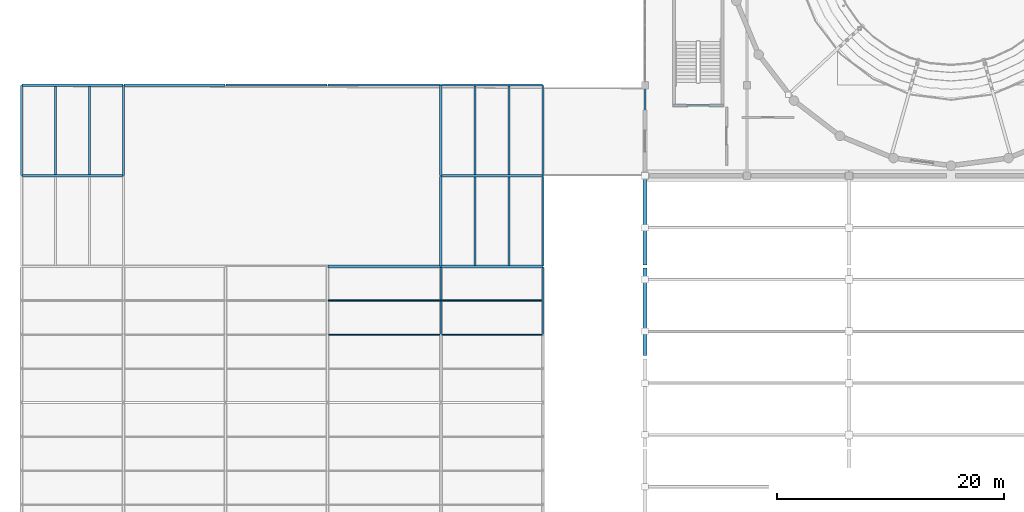
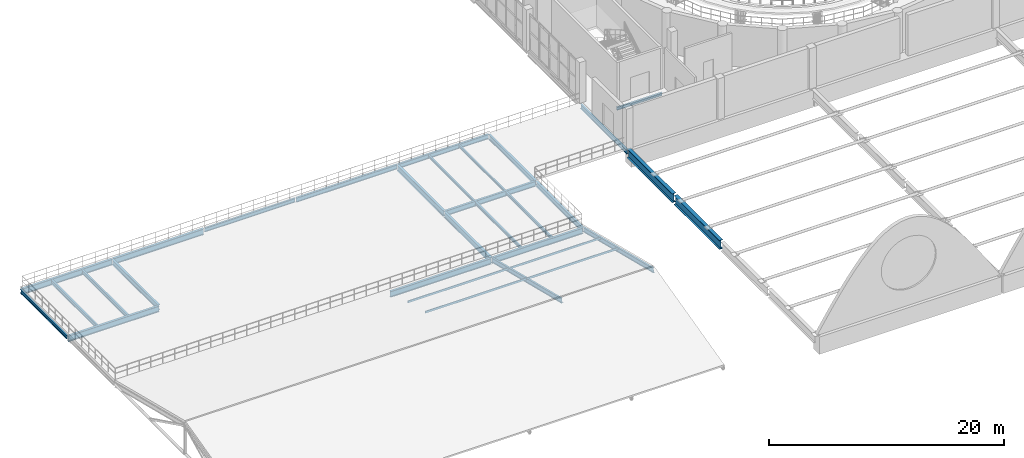
# One storey, part 10 of 54: 27 beams, 4 members.
"""IFC4 building model written with IfcOpenShell, lengths in metres."""

from ifc_helpers import new_model, si_unit, direction, frame, origin, origin_2d, place, context, subcontext, project, spatial, hollow_rectangle, i_section, extrude, material, material_profile, profile_set, type_object, element, save


model = new_model("IFC4")

# Units and contexts
model_context = context("Model", 3, precision=1e-05, world=origin(), true_north=direction((0.0, 1.0)))
body_context = subcontext(model_context, "Body", "Model", "MODEL_VIEW")
ifc_project = project(units=[si_unit("LENGTHUNIT", "METRE"), si_unit("AREAUNIT", "SQUARE_METRE"), si_unit("VOLUMEUNIT", "CUBIC_METRE"), si_unit("PLANEANGLEUNIT", "RADIAN"), si_unit("MASSUNIT", "GRAM", prefix="KILO")], contexts=[model_context])

# Site, building, storey
site_placement = place(None, origin())
site = spatial("IfcSite", under=ifc_project, at=site_placement, CompositionType="ELEMENT")
building_placement = place(site_placement, origin())
building = spatial("IfcBuilding", under=site, at=building_placement, Name="Marnock Terrace Opera House", CompositionType="ELEMENT")
storey_placement = place(building_placement, frame((0.0, 0.0, 19.199951171875)))
storey = spatial("IfcBuildingStorey", under=building, at=storey_placement, Name="L04", CompositionType="ELEMENT", Elevation=19.199951171875)

# Beams
ifc_material_1 = material(Name="Steel Grade 350 (AS/NZS 3679.1)", Category="steel")
ifc_material_profile_1 = material_profile(ifc_material_1, i_section(OverallWidth=0.177978515625, OverallDepth=0.402587890625, WebThickness=0.007568359375, FlangeThickness=0.010986328125, FilletRadius=0.011474609375, at=origin_2d()))
ifc_profile_set_1 = profile_set([ifc_material_profile_1], Name="Steel Grade 350 (AS/NZS 3679.1)")
beam_type_1 = type_object("IfcBeamType", Name="BM-GIRD-410", PredefinedType="BEAM", material=ifc_profile_set_1)
beam_1_placement = place(storey_placement, frame((18.050048828125, 48.0, -0.47119140625), z_axis=(1.0, 0.0, 0.0), x_axis=(0.0, 1.0, 0.0)))
element("IfcBeam", 1, at=beam_1_placement, inside=storey, type_object=beam_type_1, Name="L04 girder (18.0..27.0, Y=48.0)", PredefinedType="BEAM", context=body_context, shape_type="SweptSolid", body=[
    extrude(i_section(OverallWidth=0.177978515625, OverallDepth=0.402587890625, WebThickness=0.007568359375, FlangeThickness=0.010986328125, FilletRadius=0.011474609375, at=origin_2d()), origin(), (0.0, 0.0, 1.0), 8.89990234375),
])
ifc_material_profile_2 = material_profile(ifc_material_1, i_section(OverallWidth=0.19091796875, OverallDepth=0.46044921875, WebThickness=0.010009765625, FlangeThickness=0.01611328125, FilletRadius=0.011474609375, at=origin_2d()))
ifc_profile_set_2 = profile_set([ifc_material_profile_2], Name="Steel Grade 350 (AS/NZS 3679.1)")
beam_type_2 = type_object("IfcBeamType", Name="BM-GIRD-460A", PredefinedType="BEAM", material=ifc_profile_set_2)
beam_2_placement = place(storey_placement, frame((27.050048828125, 48.0, -0.500244140625), z_axis=(1.0, 0.0, 0.0), x_axis=(0.0, 1.0, 0.0)))
element("IfcBeam", 2, at=beam_2_placement, inside=storey, type_object=beam_type_2, Name="L04 girder (27.0..37.0, Y=48.0)", PredefinedType="BEAM", context=body_context, shape_type="SweptSolid", body=[
    extrude(i_section(OverallWidth=0.19091796875, OverallDepth=0.46044921875, WebThickness=0.010009765625, FlangeThickness=0.01611328125, FilletRadius=0.011474609375, at=origin_2d()), origin(), (0.0, 0.0, 1.0), 9.89990234375),
])
beam_3_placement = place(storey_placement, frame((37.050048828125, 48.0, -0.500244140625), z_axis=(1.0, 0.0, 0.0), x_axis=(0.0, 1.0, 0.0)))
element("IfcBeam", 3, at=beam_3_placement, inside=storey, type_object=beam_type_2, Name="L04 girder (37.0..46.0, Y=48.0)", PredefinedType="BEAM", context=body_context, shape_type="SweptSolid", body=[
    extrude(i_section(OverallWidth=0.19091796875, OverallDepth=0.46044921875, WebThickness=0.010009765625, FlangeThickness=0.01611328125, FilletRadius=0.011474609375, at=origin_2d()), origin(), (0.0, 0.0, 1.0), 8.89990234375),
])
for number, where, z_axis, x_axis, name in (
    (4, (37.0, 31.919921875, -0.435546875), (0.0, -0.970520166592, 0.241019929132), (1.0, 0.0, 0.0), "Rehearsal Wing north pitched rafter"),
    (5, (46.0, 31.919921875, -0.435546875), (0.0, -0.970520166592, 0.241019929132), (1.0, 0.0, 0.0), "Rehearsal Wing north pitched rafter"),
):
    element("IfcBeam", number, at=place(storey_placement, frame(where, z_axis=z_axis, x_axis=x_axis)), inside=storey, type_object=beam_type_2, Name=name, PredefinedType="BEAM", context=body_context, shape_type="SweptSolid", body=[
        extrude(i_section(OverallWidth=0.19091796875, OverallDepth=0.46044921875, WebThickness=0.010009765625, FlangeThickness=0.01611328125, FilletRadius=0.011474609375, at=origin_2d()), origin(), (0.0, 0.0, 1.0), 12.281982421875),
    ])
ifc_material_profile_3 = material_profile(ifc_material_1, i_section(OverallWidth=0.18994140625, OverallDepth=0.45751953125, WebThickness=0.009033203125, FlangeThickness=0.014404296875, FilletRadius=0.011474609375, at=origin_2d()))
ifc_profile_set_3 = profile_set([ifc_material_profile_3], Name="Steel Grade 350 (AS/NZS 3679.1)")
beam_type_3 = type_object("IfcBeamType", Name="BM-GIRD-460B", PredefinedType="BEAM", material=ifc_profile_set_3)
beam_4_placement = place(storey_placement, frame((55.0, 40.050048828125, -0.49853515625), z_axis=(0.0, 1.0, 0.0), x_axis=(-1.0, 0.0, 0.0)))
element("IfcBeam", 6, at=beam_4_placement, inside=storey, type_object=beam_type_3, Name="L04 girder (X=55.0, 40.0..48.0)", PredefinedType="BEAM", context=body_context, shape_type="SweptSolid", body=[
    extrude(i_section(OverallWidth=0.18994140625, OverallDepth=0.45751953125, WebThickness=0.009033203125, FlangeThickness=0.014404296875, FilletRadius=0.011474609375, at=origin_2d()), origin(), (0.0, 0.0, 1.0), 7.89990234375),
])
ifc_material_profile_4 = material_profile(ifc_material_1, i_section(OverallWidth=0.208984375, OverallDepth=0.532958984375, WebThickness=0.01025390625, FlangeThickness=0.015625, FilletRadius=0.013916015625, at=origin_2d()))
ifc_profile_set_4 = profile_set([ifc_material_profile_4], Name="Steel Grade 350 (AS/NZS 3679.1)")
beam_type_4 = type_object("IfcBeamType", Name="BM-GIRD-530A", PredefinedType="BEAM", material=ifc_profile_set_4)
beam_5_placement = place(storey_placement, frame((37.050048828125, 40.0, -0.536376953125), z_axis=(1.0, 0.0, 0.0), x_axis=(0.0, 1.0, 0.0)))
element("IfcBeam", 7, at=beam_5_placement, inside=storey, type_object=beam_type_4, Name="L04 girder (37.0..46.0, Y=40.0)", PredefinedType="BEAM", context=body_context, shape_type="SweptSolid", body=[
    extrude(i_section(OverallWidth=0.208984375, OverallDepth=0.532958984375, WebThickness=0.01025390625, FlangeThickness=0.015625, FilletRadius=0.013916015625, at=origin_2d()), origin(), (0.0, 0.0, 1.0), 8.89990234375),
])
ifc_material_profile_5 = material_profile(ifc_material_1, i_section(OverallWidth=0.208984375, OverallDepth=0.528076171875, WebThickness=0.009521484375, FlangeThickness=0.01318359375, FilletRadius=0.013916015625, at=origin_2d()))
ifc_profile_set_5 = profile_set([ifc_material_profile_5], Name="Steel Grade 350 (AS/NZS 3679.1)")
beam_type_5 = type_object("IfcBeamType", Name="BM-GIRD-530B", PredefinedType="BEAM", material=ifc_profile_set_5)
for number, where, z_axis, x_axis, name in (
    (8, (9.0, 40.050048828125, -0.533935546875), (0.0, 1.0, 0.0), (-1.0, 0.0, 0.0), "L04 girder (X=9.0, 40.0..48.0)"),
    (9, (46.0, 32.050048828125, -0.533935546875), (0.0, 1.0, 0.0), (-1.0, 0.0, 0.0), "L04 girder (X=46.0, 32.0..40.0)"),
    (10, (46.0, 40.050048828125, -0.533935546875), (0.0, 1.0, 0.0), (-1.0, 0.0, 0.0), "L04 girder (X=46.0, 40.0..48.0)"),
):
    element("IfcBeam", number, at=place(storey_placement, frame(where, z_axis=z_axis, x_axis=x_axis)), inside=storey, type_object=beam_type_5, Name=name, PredefinedType="BEAM", context=body_context, shape_type="SweptSolid", body=[
        extrude(i_section(OverallWidth=0.208984375, OverallDepth=0.528076171875, WebThickness=0.009521484375, FlangeThickness=0.01318359375, FilletRadius=0.013916015625, at=origin_2d()), origin(), (0.0, 0.0, 1.0), 7.89990234375),
    ])
ifc_material_profile_6 = material_profile(ifc_material_1, i_section(OverallWidth=0.22900390625, OverallDepth=0.611572265625, WebThickness=0.011962890625, FlangeThickness=0.01953125, FilletRadius=0.013916015625, at=origin_2d()))
ifc_profile_set_6 = profile_set([ifc_material_profile_6], Name="Steel Grade 350 (AS/NZS 3679.1)")
beam_type_6 = type_object("IfcBeamType", Name="BM-GIRD-610A", PredefinedType="BEAM", material=ifc_profile_set_6)
for number, where, z_axis, x_axis, name in (
    (11, (0.050048828125, 40.0, -0.57568359375), (1.0, 0.0, 0.0), (0.0, 1.0, 0.0), "L04 girder (0.0..9.0, Y=40.0)"),
    (12, (9.050048828125, 48.0, -0.57568359375), (1.0, 0.0, 0.0), (0.0, 1.0, 0.0), "L04 girder (9.0..18.0, Y=48.0)"),
):
    element("IfcBeam", number, at=place(storey_placement, frame(where, z_axis=z_axis, x_axis=x_axis)), inside=storey, type_object=beam_type_6, Name=name, PredefinedType="BEAM", context=body_context, shape_type="SweptSolid", body=[
        extrude(i_section(OverallWidth=0.22900390625, OverallDepth=0.611572265625, WebThickness=0.011962890625, FlangeThickness=0.01953125, FilletRadius=0.013916015625, at=origin_2d()), origin(), (0.0, 0.0, 1.0), 8.89990234375),
    ])
ifc_material_profile_7 = material_profile(ifc_material_1, i_section(OverallWidth=0.22802734375, OverallDepth=0.60693359375, WebThickness=0.01123046875, FlangeThickness=0.017333984375, FilletRadius=0.013916015625, at=origin_2d()))
ifc_profile_set_7 = profile_set([ifc_material_profile_7], Name="Steel Grade 350 (AS/NZS 3679.1)")
beam_type_7 = type_object("IfcBeamType", Name="BM-GIRD-610B", PredefinedType="BEAM", material=ifc_profile_set_7)
beam_6_placement = place(storey_placement, frame((27.050048828125, 32.0, -0.573486328125), z_axis=(1.0, 0.0, 0.0), x_axis=(0.0, 1.0, 0.0)))
element("IfcBeam", 13, at=beam_6_placement, inside=storey, type_object=beam_type_7, Name="L04 girder (27.0..37.0, Y=32.0)", PredefinedType="BEAM", context=body_context, shape_type="SweptSolid", body=[
    extrude(i_section(OverallWidth=0.22802734375, OverallDepth=0.60693359375, WebThickness=0.01123046875, FlangeThickness=0.017333984375, FilletRadius=0.013916015625, at=origin_2d()), origin(), (0.0, 0.0, 1.0), 9.89990234375),
])
for number, where, z_axis, x_axis, name in (
    (14, (37.050048828125, 32.0, -0.573486328125), (1.0, 0.0, 0.0), (0.0, 1.0, 0.0), "L04 girder (37.0..46.0, Y=32.0)"),
    (15, (0.050048828125, 48.0, -0.573486328125), (1.0, 0.0, 0.0), (0.0, 1.0, 0.0), "L04 girder (0.0..9.0, Y=48.0)"),
):
    element("IfcBeam", number, at=place(storey_placement, frame(where, z_axis=z_axis, x_axis=x_axis)), inside=storey, type_object=beam_type_7, Name=name, PredefinedType="BEAM", context=body_context, shape_type="SweptSolid", body=[
        extrude(i_section(OverallWidth=0.22802734375, OverallDepth=0.60693359375, WebThickness=0.01123046875, FlangeThickness=0.017333984375, FilletRadius=0.013916015625, at=origin_2d()), origin(), (0.0, 0.0, 1.0), 8.89990234375),
    ])
ifc_material_profile_8 = material_profile(ifc_material_1, i_section(OverallWidth=0.22802734375, OverallDepth=0.60205078125, WebThickness=0.010498046875, FlangeThickness=0.014892578125, FilletRadius=0.013916015625, at=origin_2d()))
ifc_profile_set_8 = profile_set([ifc_material_profile_8], Name="Steel Grade 350 (AS/NZS 3679.1)")
beam_type_8 = type_object("IfcBeamType", Name="BM-GIRD-610C", PredefinedType="BEAM", material=ifc_profile_set_8)
for number, where, z_axis, x_axis, name in (
    (16, (37.0, 32.050048828125, -0.571044921875), (0.0, 1.0, 0.0), (-1.0, 0.0, 0.0), "L04 girder (X=37.0, 32.0..40.0)"),
    (17, (37.0, 40.050048828125, -0.571044921875), (0.0, 1.0, 0.0), (-1.0, 0.0, 0.0), "L04 girder (X=37.0, 40.0..48.0)"),
):
    element("IfcBeam", number, at=place(storey_placement, frame(where, z_axis=z_axis, x_axis=x_axis)), inside=storey, type_object=beam_type_8, Name=name, PredefinedType="BEAM", context=body_context, shape_type="SweptSolid", body=[
        extrude(i_section(OverallWidth=0.22802734375, OverallDepth=0.60205078125, WebThickness=0.010498046875, FlangeThickness=0.014892578125, FilletRadius=0.013916015625, at=origin_2d()), origin(), (0.0, 0.0, 1.0), 7.89990234375),
    ])
ifc_material_profile_9 = material_profile(ifc_material_1, i_section(OverallWidth=0.14599609375, OverallDepth=0.256103515625, WebThickness=0.00634765625, FlangeThickness=0.010986328125, FilletRadius=0.0087890625, at=origin_2d()))
ifc_profile_set_9 = profile_set([ifc_material_profile_9], Name="Steel Grade 350 (AS/NZS 3679.1)")
beam_type_9 = type_object("IfcBeamType", Name="BM-JOIST-250", PredefinedType="JOIST", material=ifc_profile_set_9)
for number, where, z_axis, x_axis, name in (
    (18, (40.0, 40.099609375, -0.39794921875), (0.0, 1.0, 0.0), (-1.0, 0.0, 0.0), "L04 secondary joist 4.5.1"),
    (19, (43.0, 40.099609375, -0.39794921875), (0.0, 1.0, 0.0), (-1.0, 0.0, 0.0), "L04 secondary joist 4.5.2"),
):
    element("IfcBeam", number, at=place(storey_placement, frame(where, z_axis=z_axis, x_axis=x_axis)), inside=storey, type_object=beam_type_9, Name=name, PredefinedType="JOIST", context=body_context, shape_type="SweptSolid", body=[
        extrude(i_section(OverallWidth=0.14599609375, OverallDepth=0.256103515625, WebThickness=0.00634765625, FlangeThickness=0.010986328125, FilletRadius=0.0087890625, at=origin_2d()), origin(), (0.0, 0.0, 1.0), 7.809814453125),
    ])
ifc_material_profile_10 = material_profile(ifc_material_1, i_section(OverallWidth=0.1650390625, OverallDepth=0.3037109375, WebThickness=0.006103515625, FlangeThickness=0.01025390625, FilletRadius=0.011474609375, at=origin_2d()))
ifc_profile_set_10 = profile_set([ifc_material_profile_10], Name="Steel Grade 350 (AS/NZS 3679.1)")
beam_type_10 = type_object("IfcBeamType", Name="BM-JOIST-310B", PredefinedType="JOIST", material=ifc_profile_set_10)
for number, where, z_axis, x_axis, name in (
    (20, (40.0, 32.10888671875, -0.421875), (0.0, 1.0, 0.0), (-1.0, 0.0, 0.0), "L04 secondary joist 4.4.1"),
    (21, (43.0, 32.10888671875, -0.421875), (0.0, 1.0, 0.0), (-1.0, 0.0, 0.0), "L04 secondary joist 4.4.2"),
):
    element("IfcBeam", number, at=place(storey_placement, frame(where, z_axis=z_axis, x_axis=x_axis)), inside=storey, type_object=beam_type_10, Name=name, PredefinedType="JOIST", context=body_context, shape_type="SweptSolid", body=[
        extrude(i_section(OverallWidth=0.1650390625, OverallDepth=0.3037109375, WebThickness=0.006103515625, FlangeThickness=0.01025390625, FilletRadius=0.011474609375, at=origin_2d()), origin(), (0.0, 0.0, 1.0), 7.79150390625),
    ])
ifc_material_profile_11 = material_profile(ifc_material_1, i_section(OverallWidth=0.177978515625, OverallDepth=0.406494140625, WebThickness=0.0078125, FlangeThickness=0.0126953125, FilletRadius=0.011474609375, at=origin_2d()))
ifc_profile_set_11 = profile_set([ifc_material_profile_11], Name="Steel Grade 350 (AS/NZS 3679.1)")
beam_type_11 = type_object("IfcBeamType", Name="BM-JOIST-410", PredefinedType="JOIST", material=ifc_profile_set_11)
for number, where, z_axis, x_axis, name in (
    (22, (3.0, 40.109619140625, -0.47314453125), (0.0, 1.0, 0.0), (-1.0, 0.0, 0.0), "L04 secondary joist 0.5.1"),
    (23, (6.0, 40.109619140625, -0.47314453125), (0.0, 1.0, 0.0), (-1.0, 0.0, 0.0), "L04 secondary joist 0.5.2"),
):
    element("IfcBeam", number, at=place(storey_placement, frame(where, z_axis=z_axis, x_axis=x_axis)), inside=storey, type_object=beam_type_11, Name=name, PredefinedType="JOIST", context=body_context, shape_type="SweptSolid", body=[
        extrude(i_section(OverallWidth=0.177978515625, OverallDepth=0.406494140625, WebThickness=0.0078125, FlangeThickness=0.0126953125, FilletRadius=0.011474609375, at=origin_2d()), origin(), (0.0, 0.0, 1.0), 7.781494140625),
    ])
ifc_material_profile_12 = material_profile(ifc_material_1, i_section(OverallWidth=0.166015625, OverallDepth=0.30712890625, WebThickness=0.006591796875, FlangeThickness=0.01171875, FilletRadius=0.011474609375, at=origin_2d()))
ifc_profile_set_12 = profile_set([ifc_material_profile_12], Name="Steel Grade 350 (AS/NZS 3679.1)")
beam_type_12 = type_object("IfcBeamType", Name="BM-LINT-310", PredefinedType="LINTEL", material=ifc_profile_set_12)
beam_7_placement = place(storey_placement, frame((57.47998046875, 46.199951171875, -0.599853515625), z_axis=(1.0, 0.0, 0.0), x_axis=(0.0, 1.0, 0.0)))
element("IfcBeam", 24, at=beam_7_placement, inside=storey, type_object=beam_type_12, Name="L03 Core C1 coupling lintel", PredefinedType="LINTEL", context=body_context, shape_type="SweptSolid", body=[
    extrude(i_section(OverallWidth=0.166015625, OverallDepth=0.30712890625, WebThickness=0.006591796875, FlangeThickness=0.01171875, FilletRadius=0.011474609375, at=origin_2d()), origin(), (0.0, 0.0, 1.0), 4.43994140625),
])
ifc_material_profile_13 = material_profile(ifc_material_1, i_section(OverallWidth=0.172119140625, OverallDepth=0.358642578125, WebThickness=0.008056640625, FlangeThickness=0.012939453125, FilletRadius=0.011474609375, at=origin_2d()))
ifc_profile_set_13 = profile_set([ifc_material_profile_13], Name="Steel Grade 350 (AS/NZS 3679.1)")
beam_type_13 = type_object("IfcBeamType", Name="BM-SPAN-360", PredefinedType="SPANDREL", material=ifc_profile_set_13)
beam_8_placement = place(storey_placement, frame((0.0, 40.050048828125, -0.44921875), z_axis=(0.0, 1.0, 0.0), x_axis=(-1.0, 0.0, 0.0)))
element("IfcBeam", 25, at=beam_8_placement, inside=storey, type_object=beam_type_13, Name="L04 girder (X=0.0, 40.0..48.0)", PredefinedType="SPANDREL", context=body_context, shape_type="SweptSolid", body=[
    extrude(i_section(OverallWidth=0.172119140625, OverallDepth=0.358642578125, WebThickness=0.008056640625, FlangeThickness=0.012939453125, FilletRadius=0.011474609375, at=origin_2d()), origin(), (0.0, 0.0, 1.0), 7.89990234375),
])
ifc_material_2 = material(Name="Steel Grade 350 Welded (AS/NZS 3679.2)", Category="steel")
ifc_material_profile_14 = material_profile(ifc_material_2, i_section(OverallWidth=0.35009765625, OverallDepth=0.924072265625, WebThickness=0.01611328125, FlangeThickness=0.031982421875, at=origin_2d()))
ifc_profile_set_14 = profile_set([ifc_material_profile_14], Name="Steel Grade 350 Welded (AS/NZS 3679.2)")
beam_type_14 = type_object("IfcBeamType", Name="BM-VALLEY-900", PredefinedType="BEAM", material=ifc_profile_set_14)
for number, where, z_axis, x_axis, name in (
    (26, (55.0, 24.139892578125, -0.4619140625), (0.0, 1.0, 0.0), (-1.0, 0.0, 0.0), "Grand Hall barrel-vault valley girder X=55"),
    (27, (55.0, 32.139892578125, -0.4619140625), (0.0, 1.0, 0.0), (-1.0, 0.0, 0.0), "Grand Hall barrel-vault valley girder X=55"),
):
    element("IfcBeam", number, at=place(storey_placement, frame(where, z_axis=z_axis, x_axis=x_axis)), inside=storey, type_object=beam_type_14, Name=name, PredefinedType="BEAM", context=body_context, shape_type="SweptSolid", body=[
        extrude(i_section(OverallWidth=0.35009765625, OverallDepth=0.924072265625, WebThickness=0.01611328125, FlangeThickness=0.031982421875, at=origin_2d()), origin(), (0.0, 0.0, 1.0), 7.72021484375),
    ])

# Members
ifc_material_3 = material(Name="Cold-formed Steel Grade C350L0 (AS/NZS 1163)", Category="steel")
ifc_material_profile_15 = material_profile(ifc_material_3, hollow_rectangle(XDim=0.10009765625, YDim=0.199951171875, WallThickness=0.008056640625, InnerFilletRadius=0.008056640625, OuterFilletRadius=0.01611328125, at=origin_2d()))
ifc_profile_set_15 = profile_set([ifc_material_profile_15], Name="Cold-formed Steel Grade C350L0 (AS/NZS 1163)")
member_type = type_object("IfcMemberType", Name="MEM-ROOF-PURL", PredefinedType="PURLIN", material=ifc_profile_set_15)
member_1_placement = place(storey_placement, frame((27.0400390625, 26.0, 1.178466796875), z_axis=(1.0, 0.0, 0.0), x_axis=(0.0, 0.970142684147, -0.242534889029)))
element("IfcMember", 28, at=member_1_placement, inside=storey, type_object=member_type, Name="Rehearsal Wing roof purlin Y=26 bay 4", PredefinedType="PURLIN", context=body_context, shape_type="SweptSolid", body=[
    extrude(hollow_rectangle(XDim=0.10009765625, YDim=0.199951171875, WallThickness=0.008056640625, InnerFilletRadius=0.008056640625, OuterFilletRadius=0.01611328125, at=origin_2d()), origin(), (0.0, 0.0, 1.0), 9.919921875),
])
member_2_placement = place(storey_placement, frame((37.0400390625, 26.0, 1.178466796875), z_axis=(1.0, 0.0, 0.0), x_axis=(0.0, 0.970142684147, -0.242534889029)))
element("IfcMember", 29, at=member_2_placement, inside=storey, type_object=member_type, Name="Rehearsal Wing roof purlin Y=26 bay 5", PredefinedType="PURLIN", context=body_context, shape_type="SweptSolid", body=[
    extrude(hollow_rectangle(XDim=0.10009765625, YDim=0.199951171875, WallThickness=0.008056640625, InnerFilletRadius=0.008056640625, OuterFilletRadius=0.01611328125, at=origin_2d()), origin(), (0.0, 0.0, 1.0), 8.919921875),
])
member_3_placement = place(storey_placement, frame((27.0400390625, 29.0, 0.428466796875), z_axis=(1.0, 0.0, 0.0), x_axis=(0.0, 0.970142684147, -0.242534889029)))
element("IfcMember", 30, at=member_3_placement, inside=storey, type_object=member_type, Name="Rehearsal Wing roof purlin Y=29 bay 4", PredefinedType="PURLIN", context=body_context, shape_type="SweptSolid", body=[
    extrude(hollow_rectangle(XDim=0.10009765625, YDim=0.199951171875, WallThickness=0.008056640625, InnerFilletRadius=0.008056640625, OuterFilletRadius=0.01611328125, at=origin_2d()), origin(), (0.0, 0.0, 1.0), 9.919921875),
])
member_4_placement = place(storey_placement, frame((37.0400390625, 29.0, 0.428466796875), z_axis=(1.0, 0.0, 0.0), x_axis=(0.0, 0.970142684147, -0.242534889029)))
element("IfcMember", 31, at=member_4_placement, inside=storey, type_object=member_type, Name="Rehearsal Wing roof purlin Y=29 bay 5", PredefinedType="PURLIN", context=body_context, shape_type="SweptSolid", body=[
    extrude(hollow_rectangle(XDim=0.10009765625, YDim=0.199951171875, WallThickness=0.008056640625, InnerFilletRadius=0.008056640625, OuterFilletRadius=0.01611328125, at=origin_2d()), origin(), (0.0, 0.0, 1.0), 8.919921875),
])

save(model, "model.ifc")
